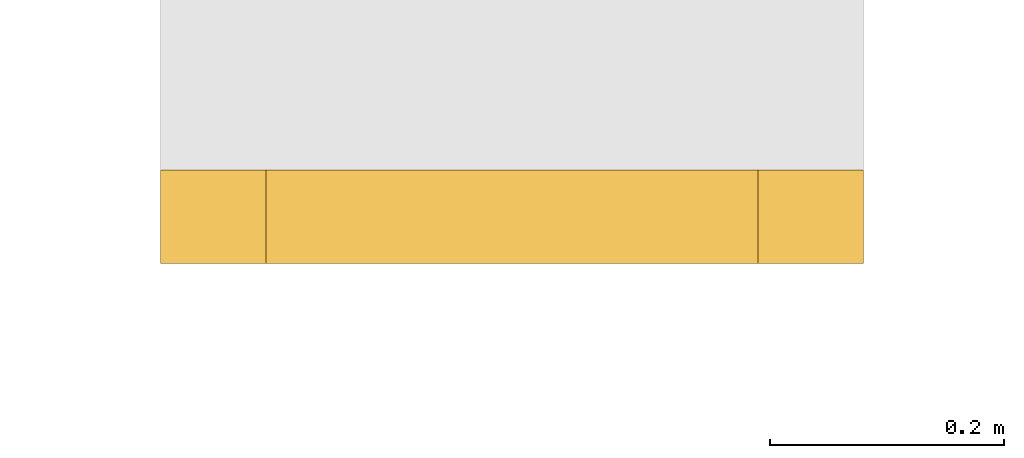
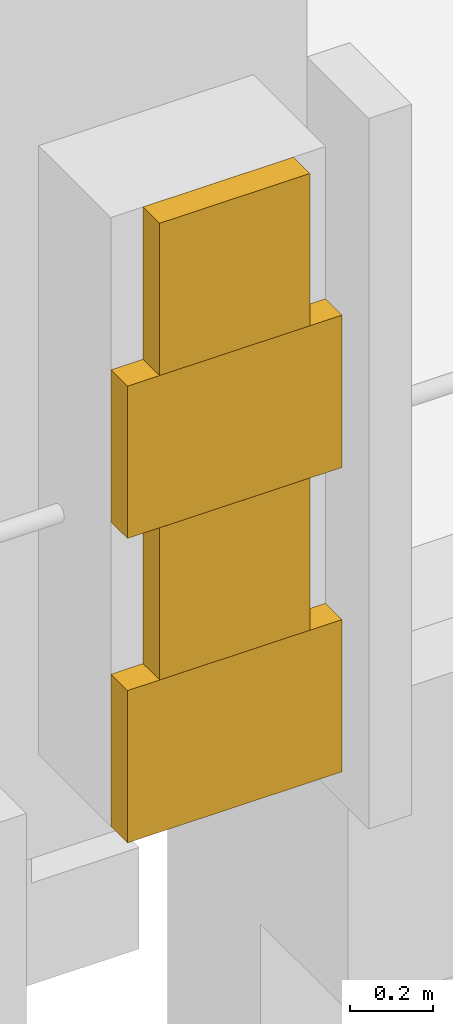
# One storey, part 64 of 67: 4 coverings.
"""IFC4 building model written with IfcOpenShell, lengths in metres."""

from ifc_helpers import new_model, si_unit, direction, frame, origin, place, context, subcontext, project, spatial, polyline, outline, extrude, material, layer, layer_set, type_object, element, save


model = new_model("IFC4")

# Units and contexts
model_context = context("Model", 3, precision=1e-05, world=origin(), true_north=direction((0.0, 1.0)))
body_context = subcontext(model_context, "Body", "Model", "MODEL_VIEW")
ifc_project = project(units=[si_unit("LENGTHUNIT", "METRE"), si_unit("AREAUNIT", "SQUARE_METRE"), si_unit("VOLUMEUNIT", "CUBIC_METRE"), si_unit("PLANEANGLEUNIT", "RADIAN"), si_unit("MASSUNIT", "GRAM", prefix="KILO")], contexts=[model_context])

# Site, building, storey
site_placement = place(None, origin())
site = spatial("IfcSite", under=ifc_project, at=site_placement, CompositionType="ELEMENT")
building_placement = place(site_placement, origin())
building = spatial("IfcBuilding", under=site, at=building_placement, Name="Cour d'Honneur Mobility Palace", CompositionType="ELEMENT")
storey_placement = place(building_placement, frame((0.0, 0.0, 4.5)))
storey = spatial("IfcBuildingStorey", under=building, at=storey_placement, Name="L01", CompositionType="ELEMENT", Elevation=4.5)

# Coverings
ifc_material = material(Name="Cast limestone", Category="masonry")
ifc_layer = layer(ifc_material, 0.080078125)
ifc_layer_set = layer_set([ifc_layer], Name="Cast limestone")
covering_type = type_object("IfcCoveringType", Name="Quoin block", PredefinedType="CLADDING", material=ifc_layer_set)
covering_1_placement = place(storey_placement, frame((0.0, 0.0, 0.300048828125)))
element("IfcCovering", 1, at=covering_1_placement, inside=storey, type_object=covering_type, Name="Quoin block QN-5", PredefinedType="CLADDING", context=body_context, shape_type="SweptSolid", body=[
    extrude(outline(polyline([(153.300048828125, -0.800048828125), (153.89990234375, -0.800048828125), (153.89990234375, -0.8798828125), (153.300048828125, -0.8798828125), (153.300048828125, -0.800048828125)])), origin(), (0.0, 0.0, 1.0), 0.449951171875),
])
covering_2_placement = place(storey_placement, frame((0.0, 0.0, 0.75)))
element("IfcCovering", 2, at=covering_2_placement, inside=storey, type_object=covering_type, Name="Quoin block QN-6", PredefinedType="CLADDING", context=body_context, shape_type="SweptSolid", body=[
    extrude(outline(polyline([(153.389892578125, -0.800048828125), (153.81005859375, -0.800048828125), (153.81005859375, -0.8798828125), (153.389892578125, -0.8798828125), (153.389892578125, -0.800048828125)])), origin(), (0.0, 0.0, 1.0), 0.449951171875),
])
covering_3_placement = place(storey_placement, frame((0.0, 0.0, 1.199951171875)))
element("IfcCovering", 3, at=covering_3_placement, inside=storey, type_object=covering_type, Name="Quoin block QN-7", PredefinedType="CLADDING", context=body_context, shape_type="SweptSolid", body=[
    extrude(outline(polyline([(153.300048828125, -0.800048828125), (153.89990234375, -0.800048828125), (153.89990234375, -0.8798828125), (153.300048828125, -0.8798828125), (153.300048828125, -0.800048828125)])), origin(), (0.0, 0.0, 1.0), 0.449951171875),
])
covering_4_placement = place(storey_placement, frame((0.0, 0.0, 1.64990234375)))
element("IfcCovering", 4, at=covering_4_placement, inside=storey, type_object=covering_type, Name="Quoin block QN-8", PredefinedType="CLADDING", context=body_context, shape_type="SweptSolid", body=[
    extrude(outline(polyline([(153.389892578125, -0.800048828125), (153.81005859375, -0.800048828125), (153.81005859375, -0.8798828125), (153.389892578125, -0.8798828125), (153.389892578125, -0.800048828125)])), origin(), (0.0, 0.0, 1.0), 0.4501953125),
])

save(model, "model.ifc")
